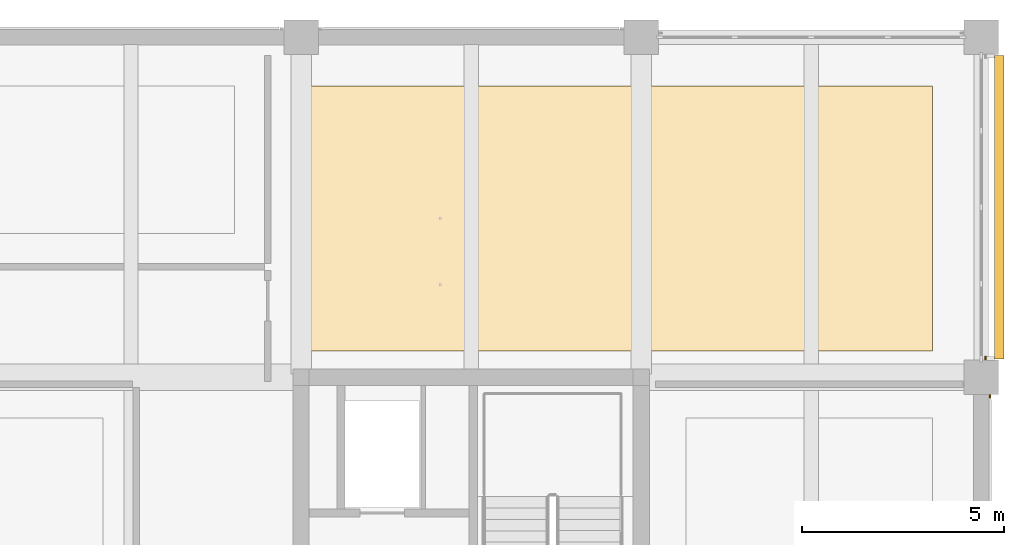
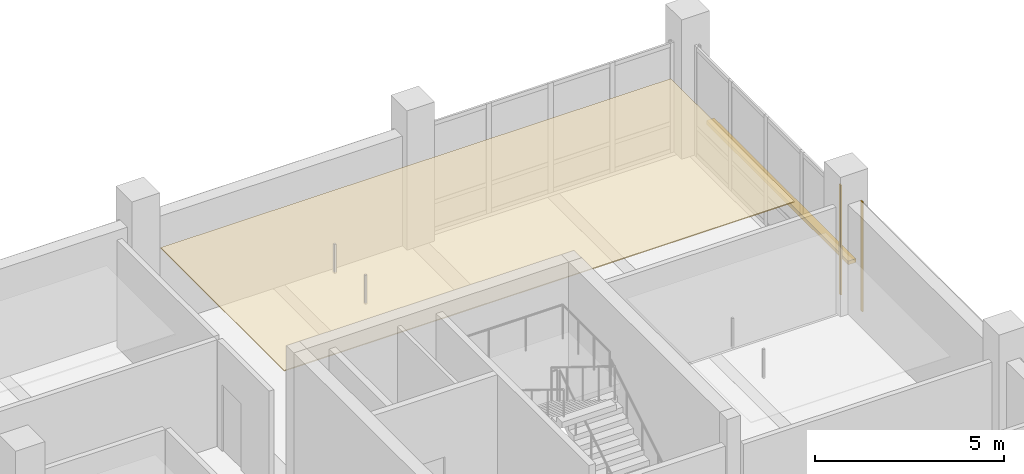
# One storey, part 32 of 36: 3 coverings, 1 shading device.
"""IFC4 building model written with IfcOpenShell, lengths in metres."""

from ifc_helpers import new_model, si_unit, direction, frame, origin, origin_2d, place, context, subcontext, project, spatial, polyline, rectangle, outline, extrude, material, layer, layer_set, type_object, element, save


model = new_model("IFC4")

# Units and contexts
model_context = context("Model", 3, precision=1e-05, world=origin(), true_north=direction((0.0, 1.0)))
body_context = subcontext(model_context, "Body", "Model", "MODEL_VIEW")
ifc_project = project(units=[si_unit("LENGTHUNIT", "METRE"), si_unit("AREAUNIT", "SQUARE_METRE"), si_unit("VOLUMEUNIT", "CUBIC_METRE"), si_unit("PLANEANGLEUNIT", "RADIAN"), si_unit("MASSUNIT", "GRAM", prefix="KILO")], contexts=[model_context])

# Site, building, storey
site_placement = place(None, origin())
site = spatial("IfcSite", under=ifc_project, at=site_placement, CompositionType="ELEMENT")
building_placement = place(site_placement, origin())
building = spatial("IfcBuilding", under=site, at=building_placement, Name="Telukmera Botanical Conservatory", CompositionType="ELEMENT")
storey_placement = place(building_placement, frame((0.0, 0.0, 24.0)))
storey = spatial("IfcBuildingStorey", under=building, at=storey_placement, Name="L05", CompositionType="ELEMENT", Elevation=24.0)

# Coverings
ifc_material_1 = material(Name="Mineral fibre acoustic ceiling")
ifc_layer_1 = layer(ifc_material_1, 0.030029296875)
ifc_layer_set_1 = layer_set([ifc_layer_1], Name="Mineral fibre acoustic ceiling")
covering_type_1 = type_object("IfcCoveringType", Name="COV-CEIL-30", PredefinedType="CEILING", material=ifc_layer_set_1)
covering_placement = place(storey_placement, frame((0.0, 0.0, 3.320068359375)))
element("IfcCovering", 1, at=covering_placement, inside=storey, type_object=covering_type_1, Name="L05 Herbarium Fellows Studio Suspended Acoustic Ceiling", PredefinedType="CEILING", context=body_context, shape_type="SweptSolid", body=[
    extrude(outline(polyline([(92.39990234375, 35.050048828125), (108.0, 35.050048828125), (108.0, 41.60009765625), (92.39990234375, 41.60009765625), (92.39990234375, 35.050048828125)])), origin(), (0.0, 0.0, 1.0), 0.030029296875),
])
ifc_material_2 = material(Name="Granite-faced precast concrete C40/50", Category="masonry")
ifc_layer_2 = layer(ifc_material_2, 0.0400390625)
ifc_layer_set_2 = layer_set([ifc_layer_2], Name="Granite-faced precast concrete C40/50")
covering_type_2 = type_object("IfcCoveringType", Name="Granite Precast Column Pier Reveal Casing", PredefinedType="CLADDING", material=ifc_layer_set_2)
for number, where, z_axis, x_axis, name in (
    (2, (109.409912109375, 33.923095703125, 0.0), (0.0, 0.0, 1.0), (0.0, 1.0, 0.0), "Granite Pier Reveal V4:L05:E3 R"),
    (3, (109.300048828125, 34.876953125, 0.0), (0.0, 0.0, 1.0), (0.0, 1.0, 0.0), "Granite Pier Reveal V4:L05:E4 L"),
):
    element("IfcCovering", number, at=place(storey_placement, frame(where, z_axis=z_axis, x_axis=x_axis)), inside=storey, type_object=covering_type_2, Name=name, PredefinedType="CLADDING", context=body_context, shape_type="SweptSolid", body=[
        extrude(rectangle(XDim=0.080078125, YDim=0.0400390625, at=origin_2d()), origin(), (0.0, 0.0, 1.0), 3.550048828125),
    ])

# Shading device
ifc_material_3 = material(Name="Perforated terracotta-anodised aluminium 6063-T6", Category="masonry")
ifc_layer_3 = layer(ifc_material_3, 0.044921875)
ifc_layer_set_3 = layer_set([ifc_layer_3], Name="Perforated terracotta-anodised aluminium 6063-T6")
shading_device_type = type_object("IfcShadingDeviceType", Name="Perforated Terracotta Aluminium Monsoon Brise Soleil", PredefinedType="JALOUSIE", material=ifc_layer_set_3)
shading_device_placement = place(storey_placement, frame((109.639892578125, 38.60009765625, 0.889892578125), z_axis=(0.0, 0.0, 1.0), x_axis=(0.0, 1.0, 0.0)))
element("IfcShadingDevice", 4, at=shading_device_placement, inside=storey, type_object=shading_device_type, Name="Monsoon Shading BS01 V4:L05:E4", PredefinedType="JALOUSIE", context=body_context, shape_type="SweptSolid", body=[
    extrude(rectangle(XDim=7.506103515625, YDim=0.239990234375, at=origin_2d()), origin(), (0.0, 0.0, 1.0), 0.1201171875),
])

save(model, "model.ifc")
